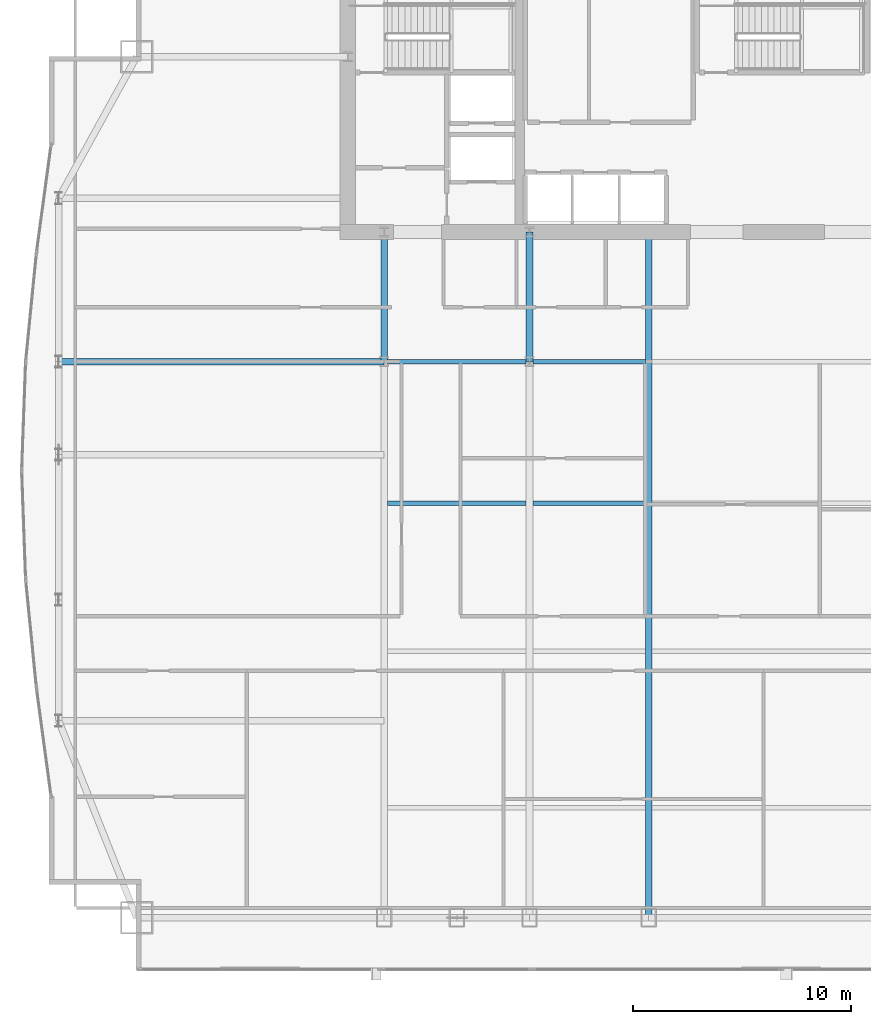
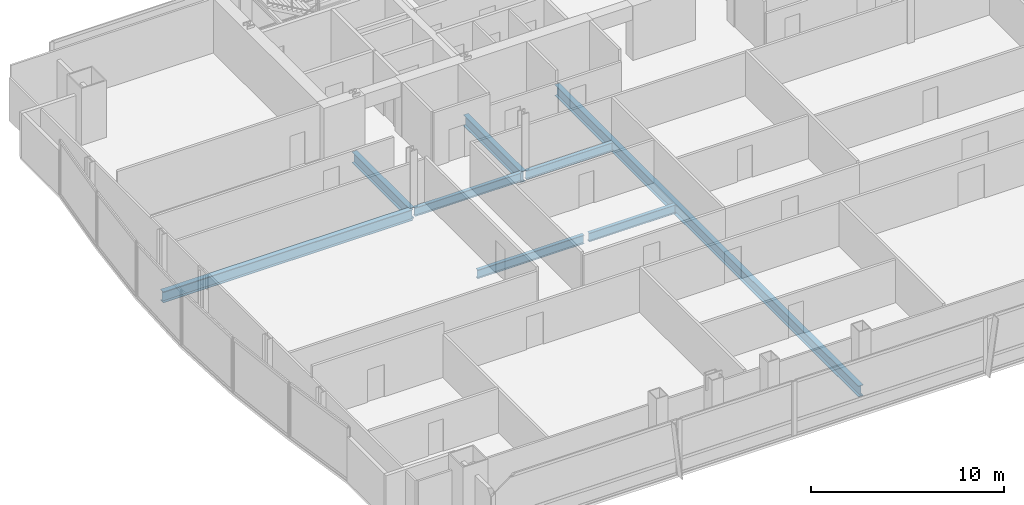
# One storey, part 12 of 32: 8 beams.
"""IFC4 building model written with IfcOpenShell, lengths in metres."""

import ifcopenshell
import ifcopenshell.guid

model = None  # the IFC model being written
_history = None  # IfcOwnerHistory: only IFC2X3 demands one
_inside = {}  # id of a spatial element -> (the spatial element, [elements in it])
_under = {}  # id of a project, library or spatial element -> (it, [spatial elements below it])
_declared = {}  # id of a project -> (the project, [libraries it declares])
_typed = {}  # id of a type object -> (the type object, [elements of that type])
_made_of = {}  # id of a material, layer set ... -> (it, [elements and type objects made of it])


def new_model(schema):
    """Start an empty IFC model of exactly this schema.

    Asked for "IFC4X3", IfcOpenShell would pick the latest addendum, in which some entities
    have other attributes; the version numbers below select the first issue.
    IFC2X3 requires an IfcOwnerHistory on every rooted entity: one is made here for all.
    """
    global model, _history
    if schema == "IFC4X3":
        model = ifcopenshell.file(schema_version=(4, 3, 0, 0))
    else:
        model = ifcopenshell.file(schema=schema)
    _inside.clear()
    _under.clear()
    _declared.clear()
    _typed.clear()
    _made_of.clear()
    _history = None
    if model.schema == "IFC2X3":
        org = make("IfcOrganization", Name="unknown")
        user = make(
            "IfcPersonAndOrganization",
            ThePerson=make("IfcPerson", FamilyName="unknown"),
            TheOrganization=org,
        )
        app = make(
            "IfcApplication",
            ApplicationDeveloper=org,
            Version="unknown",
            ApplicationFullName="unknown",
            ApplicationIdentifier="unknown",
        )
        _history = make(
            "IfcOwnerHistory",
            OwningUser=user,
            OwningApplication=app,
            ChangeAction="ADDED",
            CreationDate=0,
        )
    return model


def make(cls, **values):
    """One entity of the class cls with the attributes given. An attribute that is None is left unset."""
    return model.create_entity(
        cls, **{name: value for name, value in values.items() if value is not None}
    )


def rooted(cls, **values):
    """An entity with a GlobalId (a new one), such as an element, a storey or a relation."""
    return make(cls, GlobalId=ifcopenshell.guid.new(), OwnerHistory=_history, **values)


def si_unit(unit_type, name, prefix=None):
    """IfcSIUnit, for example si_unit("LENGTHUNIT", "METRE", prefix="MILLI")."""
    return make("IfcSIUnit", UnitType=unit_type, Prefix=prefix, Name=name)


def assignment(units):
    """IfcUnitAssignment: the units of a project."""
    return None if units is None else make("IfcUnitAssignment", Units=units)


def point(xyz):
    """IfcCartesianPoint."""
    return None if xyz is None else make("IfcCartesianPoint", Coordinates=xyz)


def direction(xyz):
    """IfcDirection."""
    return None if xyz is None else make("IfcDirection", DirectionRatios=xyz)


def frame(location, z_axis=None, x_axis=None):
    """IfcAxis2Placement3D, a coordinate frame: its origin and axes. An axis left out is left unset."""
    return make(
        "IfcAxis2Placement3D",
        Location=point(location),
        Axis=direction(z_axis),
        RefDirection=direction(x_axis),
    )


def frame_2d(location, x_axis=None):
    """IfcAxis2Placement2D, a coordinate frame in the plane: its origin and x axis."""
    return make(
        "IfcAxis2Placement2D", Location=point(location), RefDirection=direction(x_axis)
    )


def origin():
    """The frame at (0, 0, 0) with its axes left unset."""
    return frame((0.0, 0.0, 0.0))


def origin_2d():
    """The frame at (0, 0) in the plane with its x axis left unset."""
    return frame_2d((0.0, 0.0))


def place(relative_to, where):
    """IfcLocalPlacement: puts the frame where relative to a parent placement (None: the world)."""
    return make(
        "IfcLocalPlacement", PlacementRelTo=relative_to, RelativePlacement=where
    )


def context(
    kind, dimensions, precision=None, world=None, true_north=None, identifier=None
):
    """IfcGeometricRepresentationContext, for example the 3D "Model" context."""
    return make(
        "IfcGeometricRepresentationContext",
        ContextIdentifier=identifier,
        ContextType=kind,
        CoordinateSpaceDimension=dimensions,
        Precision=precision,
        WorldCoordinateSystem=world,
        TrueNorth=true_north,
    )


def subcontext(parent, identifier, kind, view, scale=None):
    """IfcGeometricRepresentationSubContext, for example "Body" below "Model"."""
    return make(
        "IfcGeometricRepresentationSubContext",
        ContextIdentifier=identifier,
        ContextType=kind,
        ParentContext=parent,
        TargetScale=scale,
        TargetView=view,
    )


def project(units=None, contexts=None):
    """IfcProject with its units and contexts."""
    return rooted(
        "IfcProject",
        Name="project",
        RepresentationContexts=contexts,
        UnitsInContext=assignment(units),
    )


def spatial(cls, under=None, at=None, **own):
    """A site, building, storey or space (cls), placed at a placement, below another one or the project."""
    s = rooted(cls, ObjectPlacement=at, **own)
    if under is not None:
        _under.setdefault(under.id(), (under, []))[1].append(s)
    return s


def profile(cls, at=None, kind="AREA", **sizes):
    """A parametric profile (cls). Its sizes go by their IFC names, for example OverallWidth=200.0."""
    return make(cls, ProfileType=kind, Position=at, **sizes)


def i_section(**sizes):
    """IfcIShapeProfileDef."""
    return profile("IfcIShapeProfileDef", **sizes)


def extrude(swept, where, along, depth):
    """IfcExtrudedAreaSolid: the profile swept, set in the frame where, extruded along a direction by depth."""
    return make(
        "IfcExtrudedAreaSolid",
        SweptArea=swept,
        Position=where,
        ExtrudedDirection=direction(along),
        Depth=depth,
    )


def shape(context_of_items, identifier, shape_type, items):
    """IfcShapeRepresentation: the items that make up one representation, for example the "Body"."""
    return make(
        "IfcShapeRepresentation",
        ContextOfItems=context_of_items,
        RepresentationIdentifier=identifier,
        RepresentationType=shape_type,
        Items=items,
    )


def material(Name=None, Category=None):
    """IfcMaterial."""
    return make("IfcMaterial", Name=Name, Category=Category)


def material_profile(
    of_material, cross_section, Name=None, Category=None, Priority=None
):
    """IfcMaterialProfile: a cross section and its material."""
    return make(
        "IfcMaterialProfile",
        Name=Name,
        Material=of_material,
        Profile=cross_section,
        Priority=Priority,
        Category=Category,
    )


def profile_set(profiles, Name=None, composite=None):
    """IfcMaterialProfileSet."""
    return make(
        "IfcMaterialProfileSet",
        Name=Name,
        MaterialProfiles=profiles,
        CompositeProfile=composite,
    )


def made_of(thing, what):
    """Note that an element or type object is made of a material, layer set ...; save() writes the relation."""
    if what is not None:
        _made_of.setdefault(what.id(), (what, []))[1].append(thing)
    return thing


def type_object(cls, material=None, **own):
    """A type object (cls), such as IfcWallType, which elements share."""
    return made_of(rooted(cls, **own), material)


def element(
    cls,
    number,
    at=None,
    inside=None,
    cuts=None,
    type_object=None,
    material=None,
    context=None,
    identifier="Body",
    shape_type=None,
    held_by="IfcProductDefinitionShape",
    body=None,
    shapes=None,
    **own,
):
    """One element of the class cls, such as IfcWall. Its Tag is "e" and its number.

    at: its placement. inside: the storey or other place that contains it. cuts: it is an
    opening in that element (IfcRelVoidsElement). A single representation is given by context,
    identifier, shape_type and body (its items); several are given by shapes. held_by: the class
    of the entity that holds the representations. save() writes the other relations.
    """
    e = rooted(cls, Tag="e%d" % number, ObjectPlacement=at, **own)
    if body is not None:
        shapes = [shape(context, identifier, shape_type, body)]
    if shapes is not None:
        e.Representation = make(held_by, Representations=shapes)
    if inside is not None:
        _inside.setdefault(inside.id(), (inside, []))[1].append(e)
    if cuts is not None:
        rooted(
            "IfcRelVoidsElement", RelatingBuildingElement=cuts, RelatedOpeningElement=e
        )
    if type_object is not None:
        _typed.setdefault(type_object.id(), (type_object, []))[1].append(e)
    return made_of(e, material)


def aggregate(whole, parts):
    """IfcRelAggregates: a whole, such as a stair, and the parts it consists of."""
    return rooted("IfcRelAggregates", RelatingObject=whole, RelatedObjects=parts)


def save(model, path):
    """Write the relations noted so far, then the file.

    IfcRelAggregates (storeys below a building ...), IfcRelContainedInSpatialStructure (elements
    in a storey), IfcRelDefinesByType, IfcRelAssociatesMaterial and IfcRelDeclares: one each for
    every whole, place, type object, material and project.
    """
    for whole, parts in _under.values():
        aggregate(whole, parts)
    for where, things in _inside.values():
        rooted(
            "IfcRelContainedInSpatialStructure",
            RelatedElements=things,
            RelatingStructure=where,
        )
    for kind, things in _typed.values():
        rooted("IfcRelDefinesByType", RelatedObjects=things, RelatingType=kind)
    for what, things in _made_of.values():
        rooted("IfcRelAssociatesMaterial", RelatedObjects=things, RelatingMaterial=what)
    for by, libraries in _declared.values():
        rooted("IfcRelDeclares", RelatingContext=by, RelatedDefinitions=libraries)
    model.write(path)


model = new_model("IFC4")

# Units and contexts
model_context = context("Model", 3, precision=1e-05, world=origin(), true_north=direction((0.0, 1.0)))
body_context = subcontext(model_context, "Body", "Model", "MODEL_VIEW")
ifc_project = project(units=[si_unit("LENGTHUNIT", "METRE"), si_unit("AREAUNIT", "SQUARE_METRE"), si_unit("VOLUMEUNIT", "CUBIC_METRE"), si_unit("PLANEANGLEUNIT", "RADIAN"), si_unit("MASSUNIT", "GRAM", prefix="KILO")], contexts=[model_context])

# Site, building, storey
site_placement = place(None, origin())
site = spatial("IfcSite", under=ifc_project, at=site_placement, CompositionType="ELEMENT")
building_placement = place(site_placement, origin())
building = spatial("IfcBuilding", under=site, at=building_placement, Name="Khoronbel Lancet Exchange", CompositionType="ELEMENT")
storey_placement = place(building_placement, frame((0.0, 0.0, 125.39990234375)))
storey = spatial("IfcBuildingStorey", under=building, at=storey_placement, Name="L30", CompositionType="ELEMENT", Elevation=125.39990234375)

# Beams
ifc_material = material(Name="Steel S355", Category="steel")
ifc_material_profile_1 = material_profile(ifc_material, i_section(OverallWidth=0.300048828125, OverallDepth=0.699951171875, WebThickness=0.01708984375, FlangeThickness=0.031982421875, at=origin_2d()), Name="HEB 700")
ifc_profile_set_1 = profile_set([ifc_material_profile_1], Name="Steel S355")
beam_type_1 = type_object("IfcBeamType", Name="BM-BG3", PredefinedType="BEAM", material=ifc_profile_set_1)
for number, where, z_axis, x_axis, name in (
    (1, (18.22509765625, 35.699951171875, -0.510009765625), (0.0, 1.0, 0.0), (-1.0, 0.0, 0.0), "Level L30 spine tie girder GN1"),
    (2, (24.89990234375, 35.699951171875, -0.510009765625), (0.0, 1.0, 0.0), (-1.0, 0.0, 0.0), "Level L30 spine tie girder GN2"),
):
    element("IfcBeam", number, at=place(storey_placement, frame(where, z_axis=z_axis, x_axis=x_axis)), inside=storey, type_object=beam_type_1, Name=name, PredefinedType="BEAM", context=body_context, shape_type="SweptSolid", body=[
        extrude(i_section(OverallWidth=0.300048828125, OverallDepth=0.699951171875, WebThickness=0.01708984375, FlangeThickness=0.031982421875, at=origin_2d()), origin(), (0.0, 0.0, 1.0), 5.949951171875),
    ])
beam_1_placement = place(storey_placement, frame((30.375, 10.14990234375, -0.510009765625), z_axis=(0.0, 1.0, 0.0), x_axis=(-1.0, 0.0, 0.0)))
element("IfcBeam", 3, at=beam_1_placement, inside=storey, type_object=beam_type_1, Name="Level L30 primary floor girder G3", PredefinedType="BEAM", context=body_context, shape_type="SweptSolid", body=[
    extrude(i_section(OverallWidth=0.300048828125, OverallDepth=0.699951171875, WebThickness=0.01708984375, FlangeThickness=0.031982421875, at=origin_2d()), origin(), (0.0, 0.0, 1.0), 31.5),
])
beam_2_placement = place(storey_placement, frame((3.27001953125, 35.699951171875, -0.510009765625), z_axis=(1.0, 0.0, 0.0), x_axis=(0.0, 1.0, 0.0)))
element("IfcBeam", 4, at=beam_2_placement, inside=storey, type_object=beam_type_1, Name="Level L30 west lens tie girder LG4W", PredefinedType="BEAM", context=body_context, shape_type="SweptSolid", body=[
    extrude(i_section(OverallWidth=0.300048828125, OverallDepth=0.699951171875, WebThickness=0.01708984375, FlangeThickness=0.031982421875, at=origin_2d()), origin(), (0.0, 0.0, 1.0), 14.955078125),
])
ifc_material_profile_2 = material_profile(ifc_material, i_section(OverallWidth=0.2099609375, OverallDepth=0.550048828125, WebThickness=0.010986328125, FlangeThickness=0.01708984375, at=origin_2d()), Name="IPE 550")
ifc_profile_set_2 = profile_set([ifc_material_profile_2], Name="Steel S355")
beam_type_2 = type_object("IfcBeamType", Name="BM-BJ2", PredefinedType="JOIST", material=ifc_profile_set_2)
beam_3_placement = place(storey_placement, frame((18.375, 29.199951171875, -0.434814453125), z_axis=(1.0, 0.0, 0.0), x_axis=(0.0, 1.0, 0.0)))
element("IfcBeam", 5, at=beam_3_placement, inside=storey, type_object=beam_type_2, Name="Level L30 secondary composite joist J11", PredefinedType="JOIST", context=body_context, shape_type="SweptSolid", body=[
    extrude(i_section(OverallWidth=0.2099609375, OverallDepth=0.550048828125, WebThickness=0.010986328125, FlangeThickness=0.01708984375, at=origin_2d()), origin(), (0.0, 0.0, 1.0), 6.375),
])
beam_4_placement = place(storey_placement, frame((25.050048828125, 29.199951171875, -0.434814453125), z_axis=(1.0, 0.0, 0.0), x_axis=(0.0, 1.0, 0.0)))
element("IfcBeam", 6, at=beam_4_placement, inside=storey, type_object=beam_type_2, Name="Level L30 secondary composite joist J12", PredefinedType="JOIST", context=body_context, shape_type="SweptSolid", body=[
    extrude(i_section(OverallWidth=0.2099609375, OverallDepth=0.550048828125, WebThickness=0.010986328125, FlangeThickness=0.01708984375, at=origin_2d()), origin(), (0.0, 0.0, 1.0), 5.175048828125),
])
beam_5_placement = place(storey_placement, frame((18.375, 35.699951171875, -0.434814453125), z_axis=(1.0, 0.0, 0.0), x_axis=(0.0, 1.0, 0.0)))
element("IfcBeam", 7, at=beam_5_placement, inside=storey, type_object=beam_type_2, Name="Level L30 secondary composite joist J16", PredefinedType="JOIST", context=body_context, shape_type="SweptSolid", body=[
    extrude(i_section(OverallWidth=0.2099609375, OverallDepth=0.550048828125, WebThickness=0.010986328125, FlangeThickness=0.01708984375, at=origin_2d()), origin(), (0.0, 0.0, 1.0), 6.375),
])
beam_6_placement = place(storey_placement, frame((25.050048828125, 35.699951171875, -0.434814453125), z_axis=(1.0, 0.0, 0.0), x_axis=(0.0, 1.0, 0.0)))
element("IfcBeam", 8, at=beam_6_placement, inside=storey, type_object=beam_type_2, Name="Level L30 secondary composite joist J17", PredefinedType="JOIST", context=body_context, shape_type="SweptSolid", body=[
    extrude(i_section(OverallWidth=0.2099609375, OverallDepth=0.550048828125, WebThickness=0.010986328125, FlangeThickness=0.01708984375, at=origin_2d()), origin(), (0.0, 0.0, 1.0), 5.175048828125),
])

save(model, "model.ifc")
